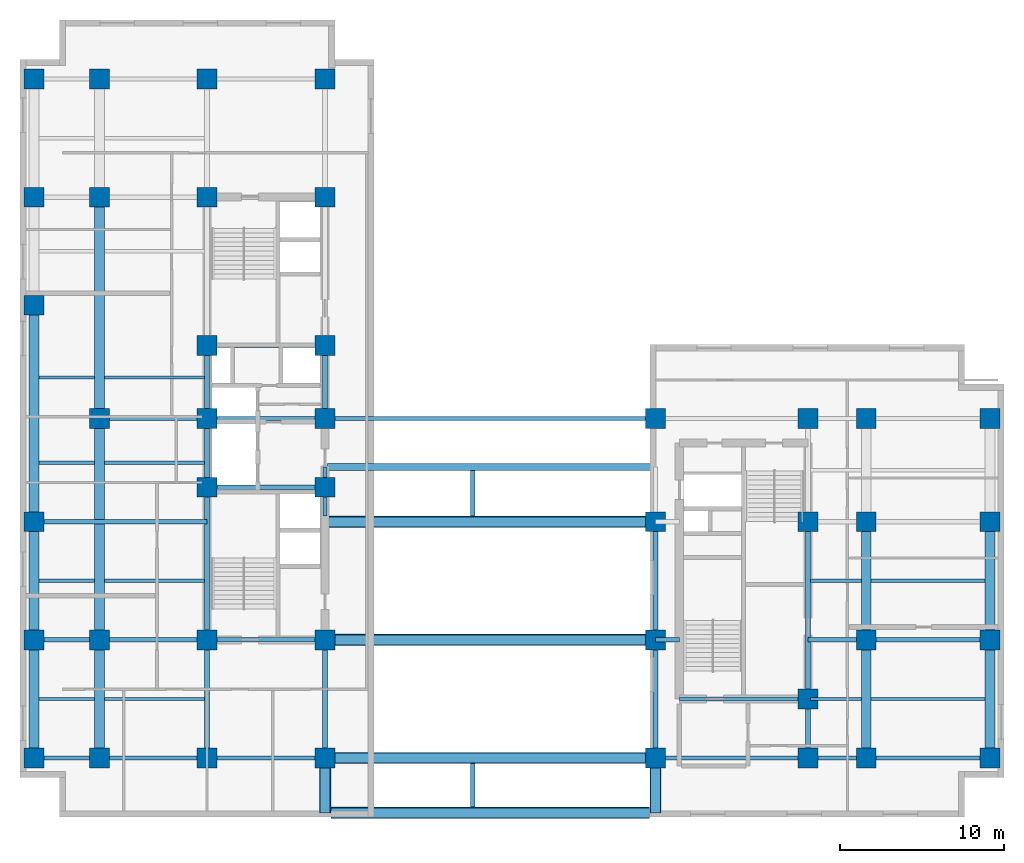
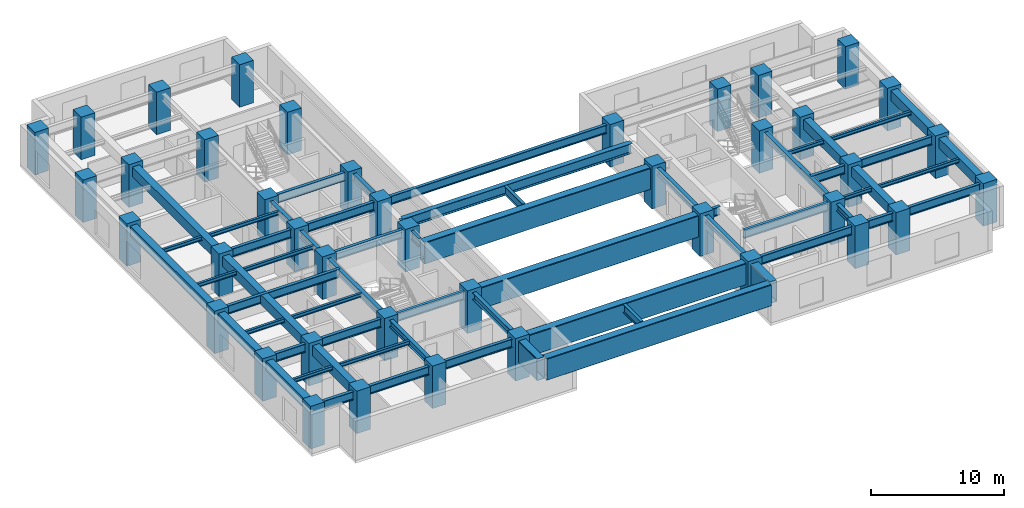
# One storey, part 1 of 9: 61 beams, 41 columns.
"""IFC4 building model written with IfcOpenShell, lengths in metres."""

from ifc_helpers import new_model, entity, si_unit, converted_unit, direction, frame, origin_with_axes, origin_2d_with_axis, place, context, subcontext, project, spatial, rectangle, hollow_rectangle, i_section, extrude, material, material_profile, profile_set, type_object, element, save


model = new_model("IFC4")

# Units and contexts
model_context = context("Model", 3, precision=1e-05, world=origin_with_axes(), true_north=direction((0.0, 1.0)))
body_context = subcontext(model_context, "Body", "Model", "MODEL_VIEW")
ifc_project = project(units=[si_unit("LENGTHUNIT", "METRE"), si_unit("AREAUNIT", "SQUARE_METRE"), si_unit("VOLUMEUNIT", "CUBIC_METRE"), converted_unit("PLANEANGLEUNIT", "DEGREE", entity("IfcPlaneAngleMeasure", 0.017453292519943295), si_unit("PLANEANGLEUNIT", "RADIAN"), dimensions=[0, 0, 0, 0, 0, 0, 0]), si_unit("MASSUNIT", "GRAM", prefix="KILO"), si_unit("THERMODYNAMICTEMPERATUREUNIT", "KELVIN")], contexts=[model_context])

# Site, building, storey
site_placement = place(None, origin_with_axes())
site = spatial("IfcSite", under=ifc_project, at=site_placement, CompositionType="ELEMENT")
building_placement = place(site_placement, origin_with_axes())
building = spatial("IfcBuilding", under=site, at=building_placement, Name="Varnlund Millrace Tower", CompositionType="ELEMENT")
storey_placement = place(building_placement, frame((0.0, 0.0, 120.3), z_axis=(0.0, 0.0, 1.0), x_axis=(1.0, 0.0, 0.0)))
storey = spatial("IfcBuildingStorey", under=building, at=storey_placement, Name="L29", CompositionType="ELEMENT", Elevation=120.3)

# Columns
ifc_material_1 = material(Name="Concrete C80/95", Category="concrete")
ifc_material_profile_1 = material_profile(ifc_material_1, rectangle(XDim=1.2, YDim=1.2, at=origin_2d_with_axis()), Name="Concrete C80/95")
ifc_profile_set_1 = profile_set([ifc_material_profile_1], Name="Concrete C80/95")
column_type = type_object("IfcColumnType", Name="Type-Col-RC1200-C80", PredefinedType="COLUMN", material=ifc_profile_set_1)
for number, where, z_axis, x_axis, name in (
    (1, (11.4, 3.6, 0.0), (0.0, 0.0, 1.0), (1.0, 0.0, 0.0), "Type-Col-RC1200-C80"),
    (2, (11.4, 10.8, 0.0), (0.0, 0.0, 1.0), (1.0, 0.0, 0.0), "Type-Col-RC1200-C80"),
    (3, (11.4, 20.1, 0.0), (0.0, 0.0, 1.0), (1.0, 0.0, 0.0), "Type-Col-RC1200-C80"),
    (4, (11.4, 24.3, 0.0), (0.0, 0.0, 1.0), (1.0, 0.0, 0.0), "Type-Col-RC1200-C80"),
    (5, (11.4, 28.75, 0.0), (0.0, 0.0, 1.0), (1.0, 0.0, 0.0), "Type-Col-RC1200-C80"),
    (6, (11.4, 37.8, 0.0), (0.0, 0.0, 1.0), (1.0, 0.0, 0.0), "Type-Col-RC1200-C80"),
    (7, (11.4, 45.0, 0.0), (0.0, 0.0, 1.0), (1.0, 0.0, 0.0), "Type-Col-RC1200-C80"),
    (8, (18.6, 3.6, 0.0), (0.0, 0.0, 1.0), (1.0, 0.0, 0.0), "Type-Col-RC1200-C80"),
    (9, (18.6, 10.8, 0.0), (0.0, 0.0, 1.0), (1.0, 0.0, 0.0), "Type-Col-RC1200-C80"),
    (10, (18.6, 20.1, 0.0), (0.0, 0.0, 1.0), (1.0, 0.0, 0.0), "Type-Col-RC1200-C80"),
    (11, (18.6, 24.3, 0.0), (0.0, 0.0, 1.0), (1.0, 0.0, 0.0), "Type-Col-RC1200-C80"),
    (12, (18.6, 28.75, 0.0), (0.0, 0.0, 1.0), (1.0, 0.0, 0.0), "Type-Col-RC1200-C80"),
    (13, (18.6, 37.8, 0.0), (0.0, 0.0, 1.0), (1.0, 0.0, 0.0), "Type-Col-RC1200-C80"),
    (14, (18.6, 45.0, 0.0), (0.0, 0.0, 1.0), (1.0, 0.0, 0.0), "Type-Col-RC1200-C80"),
    (15, (4.85, 3.6, 0.0), (0.0, 0.0, 1.0), (1.0, 0.0, 0.0), "Type-Col-RC1200-C80"),
    (16, (4.85, 10.8, 0.0), (0.0, 0.0, 1.0), (1.0, 0.0, 0.0), "Type-Col-RC1200-C80"),
    (17, (4.85, 24.3, 0.0), (0.0, 0.0, 1.0), (1.0, 0.0, 0.0), "Type-Col-RC1200-C80"),
    (18, (4.85, 37.8, 0.0), (0.0, 0.0, 1.0), (1.0, 0.0, 0.0), "Type-Col-RC1200-C80"),
    (19, (4.85, 45.0, 0.0), (0.0, 0.0, 1.0), (1.0, 0.0, 0.0), "Type-Col-RC1200-C80"),
    (20, (0.85, 3.6, 0.0), (0.0, 0.0, 1.0), (1.0, 0.0, 0.0), "Type-Col-RC1200-C80"),
    (21, (0.85, 10.8, 0.0), (0.0, 0.0, 1.0), (1.0, 0.0, 0.0), "Type-Col-RC1200-C80"),
    (22, (0.85, 18.0, 0.0), (0.0, 0.0, 1.0), (1.0, 0.0, 0.0), "Type-Col-RC1200-C80"),
    (23, (0.85, 31.2, 0.0), (0.0, 0.0, 1.0), (1.0, 0.0, 0.0), "Type-Col-RC1200-C80"),
    (24, (0.85, 37.8, 0.0), (0.0, 0.0, 1.0), (1.0, 0.0, 0.0), "Type-Col-RC1200-C80"),
    (25, (0.85, 45.0, 0.0), (0.0, 0.0, 1.0), (1.0, 0.0, 0.0), "Type-Col-RC1200-C80"),
    (26, (38.75, 3.6, 0.0), (0.0, 0.0, 1.0), (1.0, 0.0, 0.0), "Type-Col-RC1200-C80"),
    (27, (38.75, 10.8, 0.0), (0.0, 0.0, 1.0), (1.0, 0.0, 0.0), "Type-Col-RC1200-C80"),
    (28, (38.75, 18.0, 0.0), (0.0, 0.0, 1.0), (1.0, 0.0, 0.0), "Type-Col-RC1200-C80"),
    (29, (38.75, 24.3, 0.0), (0.0, 0.0, 1.0), (1.0, 0.0, 0.0), "Type-Col-RC1200-C80"),
    (30, (48.05, 3.6, 0.0), (0.0, 0.0, 1.0), (1.0, 0.0, 0.0), "Type-Col-RC1200-C80"),
    (31, (48.05, 7.2, 0.0), (0.0, 0.0, 1.0), (1.0, 0.0, 0.0), "Type-Col-RC1200-C80"),
    (32, (48.05, 18.0, 0.0), (0.0, 0.0, 1.0), (1.0, 0.0, 0.0), "Type-Col-RC1200-C80"),
    (33, (48.05, 24.3, 0.0), (0.0, 0.0, 1.0), (1.0, 0.0, 0.0), "Type-Col-RC1200-C80"),
    (34, (51.6, 3.6, 0.0), (0.0, 0.0, 1.0), (1.0, 0.0, 0.0), "Type-Col-RC1200-C80"),
    (35, (51.6, 10.8, 0.0), (0.0, 0.0, 1.0), (1.0, 0.0, 0.0), "Type-Col-RC1200-C80"),
    (36, (51.6, 18.0, 0.0), (0.0, 0.0, 1.0), (1.0, 0.0, 0.0), "Type-Col-RC1200-C80"),
    (37, (51.6, 24.3, 0.0), (0.0, 0.0, 1.0), (1.0, 0.0, 0.0), "Type-Col-RC1200-C80"),
    (38, (59.15, 3.6, 0.0), (0.0, 0.0, 1.0), (1.0, 0.0, 0.0), "Type-Col-RC1200-C80"),
    (39, (59.15, 10.8, 0.0), (0.0, 0.0, 1.0), (1.0, 0.0, 0.0), "Type-Col-RC1200-C80"),
    (40, (59.15, 18.0, 0.0), (0.0, 0.0, 1.0), (1.0, 0.0, 0.0), "Type-Col-RC1200-C80"),
    (41, (59.15, 24.3, 0.0), (0.0, 0.0, 1.0), (1.0, 0.0, 0.0), "Type-Col-RC1200-C80"),
):
    element("IfcColumn", number, at=place(storey_placement, frame(where, z_axis=z_axis, x_axis=x_axis)), inside=storey, type_object=column_type, Name=name, PredefinedType="COLUMN", context=body_context, shape_type="SweptSolid", body=[
        extrude(rectangle(XDim=1.2, YDim=1.2, at=origin_2d_with_axis()), origin_with_axes(), (0.0, 0.0, 1.0), 3.9),
    ])

# Beams
ifc_material_2 = material(Name="Steel ASTM A992 Grade 50", Category="steel")
ifc_material_profile_2 = material_profile(ifc_material_2, i_section(OverallWidth=0.328, OverallDepth=0.628, WebThickness=0.0165, FlangeThickness=0.0277, FilletRadius=0.018, at=origin_2d_with_axis()), Name="Steel ASTM A992 Grade 50")
ifc_profile_set_2 = profile_set([ifc_material_profile_2], Name="Steel ASTM A992 Grade 50")
beam_type_1 = type_object("IfcBeamType", Name="Type-Girder-W24X146", PredefinedType="USERDEFINED", material=ifc_profile_set_2)
beam_1_placement = place(storey_placement, frame((11.4, 3.6, 3.286), z_axis=(0.0, 1.0, 0.0), x_axis=(-1.0, 0.0, 0.0)))
element("IfcBeam", 42, at=beam_1_placement, inside=storey, type_object=beam_type_1, Name="Type-Girder-W24X146", ObjectType="GIRDER", PredefinedType="USERDEFINED", context=body_context, shape_type="SweptSolid", body=[
    extrude(i_section(OverallWidth=0.328, OverallDepth=0.628, WebThickness=0.0165, FlangeThickness=0.0277, FilletRadius=0.018, at=origin_2d_with_axis()), origin_with_axes(), (0.0, 0.0, 1.0), 7.2),
])
beam_2_placement = place(storey_placement, frame((11.4, 10.8, 3.286), z_axis=(0.0, 1.0, 0.0), x_axis=(-1.0, 0.0, 0.0)))
element("IfcBeam", 43, at=beam_2_placement, inside=storey, type_object=beam_type_1, Name="Type-Girder-W24X146", ObjectType="GIRDER", PredefinedType="USERDEFINED", context=body_context, shape_type="SweptSolid", body=[
    extrude(i_section(OverallWidth=0.328, OverallDepth=0.628, WebThickness=0.0165, FlangeThickness=0.0277, FilletRadius=0.018, at=origin_2d_with_axis()), origin_with_axes(), (0.0, 0.0, 1.0), 9.3),
])
beam_3_placement = place(storey_placement, frame((11.4, 20.1, 3.286), z_axis=(0.0, 1.0, 0.0), x_axis=(-1.0, 0.0, 0.0)))
element("IfcBeam", 44, at=beam_3_placement, inside=storey, type_object=beam_type_1, Name="Type-Girder-W24X146", ObjectType="GIRDER", PredefinedType="USERDEFINED", context=body_context, shape_type="SweptSolid", body=[
    extrude(i_section(OverallWidth=0.328, OverallDepth=0.628, WebThickness=0.0165, FlangeThickness=0.0277, FilletRadius=0.018, at=origin_2d_with_axis()), origin_with_axes(), (0.0, 0.0, 1.0), 4.2),
])
beam_4_placement = place(storey_placement, frame((11.4, 24.3, 3.286), z_axis=(0.0, 1.0, 0.0), x_axis=(-1.0, 0.0, 0.0)))
element("IfcBeam", 45, at=beam_4_placement, inside=storey, type_object=beam_type_1, Name="Type-Girder-W24X146", ObjectType="GIRDER", PredefinedType="USERDEFINED", context=body_context, shape_type="SweptSolid", body=[
    extrude(i_section(OverallWidth=0.328, OverallDepth=0.628, WebThickness=0.0165, FlangeThickness=0.0277, FilletRadius=0.018, at=origin_2d_with_axis()), origin_with_axes(), (0.0, 0.0, 1.0), 4.45),
])
beam_5_placement = place(storey_placement, frame((18.6, 3.6, 3.286), z_axis=(0.0, 1.0, 0.0), x_axis=(-1.0, 0.0, 0.0)))
element("IfcBeam", 46, at=beam_5_placement, inside=storey, type_object=beam_type_1, Name="Type-Girder-W24X146", ObjectType="GIRDER", PredefinedType="USERDEFINED", context=body_context, shape_type="SweptSolid", body=[
    extrude(i_section(OverallWidth=0.328, OverallDepth=0.628, WebThickness=0.0165, FlangeThickness=0.0277, FilletRadius=0.018, at=origin_2d_with_axis()), origin_with_axes(), (0.0, 0.0, 1.0), 7.2),
])
beam_6_placement = place(storey_placement, frame((18.6, 24.3, 3.286), z_axis=(0.0, 1.0, 0.0), x_axis=(-1.0, 0.0, 0.0)))
element("IfcBeam", 47, at=beam_6_placement, inside=storey, type_object=beam_type_1, Name="Type-Girder-W24X146", ObjectType="GIRDER", PredefinedType="USERDEFINED", context=body_context, shape_type="SweptSolid", body=[
    extrude(i_section(OverallWidth=0.328, OverallDepth=0.628, WebThickness=0.0165, FlangeThickness=0.0277, FilletRadius=0.018, at=origin_2d_with_axis()), origin_with_axes(), (0.0, 0.0, 1.0), 4.45),
])
for number, where, z_axis, x_axis, name in (
    (48, (38.75, 3.6, 3.286), (0.0, 1.0, 0.0), (-1.0, 0.0, 0.0), "Type-Girder-W24X146"),
    (49, (38.75, 10.8, 3.286), (0.0, 1.0, 0.0), (-1.0, 0.0, 0.0), "Type-Girder-W24X146"),
):
    element("IfcBeam", number, at=place(storey_placement, frame(where, z_axis=z_axis, x_axis=x_axis)), inside=storey, type_object=beam_type_1, Name=name, ObjectType="GIRDER", PredefinedType="USERDEFINED", context=body_context, shape_type="SweptSolid", body=[
        extrude(i_section(OverallWidth=0.328, OverallDepth=0.628, WebThickness=0.0165, FlangeThickness=0.0277, FilletRadius=0.018, at=origin_2d_with_axis()), origin_with_axes(), (0.0, 0.0, 1.0), 7.2),
    ])
beam_7_placement = place(storey_placement, frame((48.05, 3.6, 3.286), z_axis=(0.0, 1.0, 0.0), x_axis=(-1.0, 0.0, 0.0)))
element("IfcBeam", 50, at=beam_7_placement, inside=storey, type_object=beam_type_1, Name="Type-Girder-W24X146", ObjectType="GIRDER", PredefinedType="USERDEFINED", context=body_context, shape_type="SweptSolid", body=[
    extrude(i_section(OverallWidth=0.328, OverallDepth=0.628, WebThickness=0.0165, FlangeThickness=0.0277, FilletRadius=0.018, at=origin_2d_with_axis()), origin_with_axes(), (0.0, 0.0, 1.0), 3.6),
])
beam_8_placement = place(storey_placement, frame((48.05, 7.2, 3.286), z_axis=(0.0, 1.0, 0.0), x_axis=(-1.0, 0.0, 0.0)))
element("IfcBeam", 51, at=beam_8_placement, inside=storey, type_object=beam_type_1, Name="Type-Girder-W24X146", ObjectType="GIRDER", PredefinedType="USERDEFINED", context=body_context, shape_type="SweptSolid", body=[
    extrude(i_section(OverallWidth=0.328, OverallDepth=0.628, WebThickness=0.0165, FlangeThickness=0.0277, FilletRadius=0.018, at=origin_2d_with_axis()), origin_with_axes(), (0.0, 0.0, 1.0), 10.8),
])
ifc_material_profile_3 = material_profile(ifc_material_2, i_section(OverallWidth=0.266, OverallDepth=0.779, WebThickness=0.0165, FlangeThickness=0.03, FilletRadius=0.02, at=origin_2d_with_axis()), Name="Steel ASTM A992 Grade 50")
ifc_profile_set_3 = profile_set([ifc_material_profile_3], Name="Steel ASTM A992 Grade 50")
beam_type_2 = type_object("IfcBeamType", Name="Type-Girder-W30X148", PredefinedType="USERDEFINED", material=ifc_profile_set_3)
beam_9_placement = place(storey_placement, frame((18.6, 18.35, 3.2105), z_axis=(0.0, 1.0, 0.0), x_axis=(-1.0, 0.0, 0.0)))
element("IfcBeam", 52, at=beam_9_placement, inside=storey, type_object=beam_type_2, Name="Type-Girder-W30X148", ObjectType="GIRDER", PredefinedType="USERDEFINED", context=body_context, shape_type="SweptSolid", body=[
    extrude(i_section(OverallWidth=0.266, OverallDepth=0.779, WebThickness=0.0165, FlangeThickness=0.03, FilletRadius=0.02, at=origin_2d_with_axis()), origin_with_axes(), (0.0, 0.0, 1.0), 3.0),
])
beam_10_placement = place(storey_placement, frame((27.6, 0.61, 3.2105), z_axis=(0.0, 1.0, 0.0), x_axis=(-1.0, 0.0, 0.0)))
element("IfcBeam", 53, at=beam_10_placement, inside=storey, type_object=beam_type_2, Name="Type-Girder-W30X148", ObjectType="GIRDER", PredefinedType="USERDEFINED", context=body_context, shape_type="SweptSolid", body=[
    extrude(i_section(OverallWidth=0.266, OverallDepth=0.779, WebThickness=0.0165, FlangeThickness=0.03, FilletRadius=0.02, at=origin_2d_with_axis()), origin_with_axes(), (0.0, 0.0, 1.0), 2.64),
])
beam_11_placement = place(storey_placement, frame((27.6, 18.35, 3.2105), z_axis=(0.0, 1.0, 0.0), x_axis=(-1.0, 0.0, 0.0)))
element("IfcBeam", 54, at=beam_11_placement, inside=storey, type_object=beam_type_2, Name="Type-Girder-W30X148", ObjectType="GIRDER", PredefinedType="USERDEFINED", context=body_context, shape_type="SweptSolid", body=[
    extrude(i_section(OverallWidth=0.266, OverallDepth=0.779, WebThickness=0.0165, FlangeThickness=0.03, FilletRadius=0.02, at=origin_2d_with_axis()), origin_with_axes(), (0.0, 0.0, 1.0), 2.79),
])
beam_12_placement = place(storey_placement, frame((0.85, 3.6, 3.2105), z_axis=(1.0, 0.0, 0.0), x_axis=(0.0, 1.0, 0.0)))
element("IfcBeam", 55, at=beam_12_placement, inside=storey, type_object=beam_type_2, Name="Type-Girder-W30X148", ObjectType="GIRDER", PredefinedType="USERDEFINED", context=body_context, shape_type="SweptSolid", body=[
    extrude(i_section(OverallWidth=0.266, OverallDepth=0.779, WebThickness=0.0165, FlangeThickness=0.03, FilletRadius=0.02, at=origin_2d_with_axis()), origin_with_axes(), (0.0, 0.0, 1.0), 4.0),
])
beam_13_placement = place(storey_placement, frame((4.85, 3.6, 3.2105), z_axis=(1.0, 0.0, 0.0), x_axis=(0.0, 1.0, 0.0)))
element("IfcBeam", 56, at=beam_13_placement, inside=storey, type_object=beam_type_2, Name="Type-Girder-W30X148", ObjectType="GIRDER", PredefinedType="USERDEFINED", context=body_context, shape_type="SweptSolid", body=[
    extrude(i_section(OverallWidth=0.266, OverallDepth=0.779, WebThickness=0.0165, FlangeThickness=0.03, FilletRadius=0.02, at=origin_2d_with_axis()), origin_with_axes(), (0.0, 0.0, 1.0), 6.55),
])
beam_14_placement = place(storey_placement, frame((11.4, 3.6, 3.2105), z_axis=(1.0, 0.0, 0.0), x_axis=(0.0, 1.0, 0.0)))
element("IfcBeam", 57, at=beam_14_placement, inside=storey, type_object=beam_type_2, Name="Type-Girder-W30X148", ObjectType="GIRDER", PredefinedType="USERDEFINED", context=body_context, shape_type="SweptSolid", body=[
    extrude(i_section(OverallWidth=0.266, OverallDepth=0.779, WebThickness=0.0165, FlangeThickness=0.03, FilletRadius=0.02, at=origin_2d_with_axis()), origin_with_axes(), (0.0, 0.0, 1.0), 7.2),
])
beam_15_placement = place(storey_placement, frame((38.75, 3.6, 3.2105), z_axis=(1.0, 0.0, 0.0), x_axis=(0.0, 1.0, 0.0)))
element("IfcBeam", 58, at=beam_15_placement, inside=storey, type_object=beam_type_2, Name="Type-Girder-W30X148", ObjectType="GIRDER", PredefinedType="USERDEFINED", context=body_context, shape_type="SweptSolid", body=[
    extrude(i_section(OverallWidth=0.266, OverallDepth=0.779, WebThickness=0.0165, FlangeThickness=0.03, FilletRadius=0.02, at=origin_2d_with_axis()), origin_with_axes(), (0.0, 0.0, 1.0), 9.3),
])
beam_16_placement = place(storey_placement, frame((48.05, 3.6, 3.2105), z_axis=(1.0, 0.0, 0.0), x_axis=(0.0, 1.0, 0.0)))
element("IfcBeam", 59, at=beam_16_placement, inside=storey, type_object=beam_type_2, Name="Type-Girder-W30X148", ObjectType="GIRDER", PredefinedType="USERDEFINED", context=body_context, shape_type="SweptSolid", body=[
    extrude(i_section(OverallWidth=0.266, OverallDepth=0.779, WebThickness=0.0165, FlangeThickness=0.03, FilletRadius=0.02, at=origin_2d_with_axis()), origin_with_axes(), (0.0, 0.0, 1.0), 3.55),
])
beam_17_placement = place(storey_placement, frame((51.6, 3.6, 3.2105), z_axis=(1.0, 0.0, 0.0), x_axis=(0.0, 1.0, 0.0)))
element("IfcBeam", 60, at=beam_17_placement, inside=storey, type_object=beam_type_2, Name="Type-Girder-W30X148", ObjectType="GIRDER", PredefinedType="USERDEFINED", context=body_context, shape_type="SweptSolid", body=[
    extrude(i_section(OverallWidth=0.266, OverallDepth=0.779, WebThickness=0.0165, FlangeThickness=0.03, FilletRadius=0.02, at=origin_2d_with_axis()), origin_with_axes(), (0.0, 0.0, 1.0), 7.55),
])
beam_18_placement = place(storey_placement, frame((40.2, 7.2, 3.2105), z_axis=(1.0, 0.0, 0.0), x_axis=(0.0, 1.0, 0.0)))
element("IfcBeam", 61, at=beam_18_placement, inside=storey, type_object=beam_type_2, Name="Type-Girder-W30X148", ObjectType="GIRDER", PredefinedType="USERDEFINED", context=body_context, shape_type="SweptSolid", body=[
    extrude(i_section(OverallWidth=0.266, OverallDepth=0.779, WebThickness=0.0165, FlangeThickness=0.03, FilletRadius=0.02, at=origin_2d_with_axis()), origin_with_axes(), (0.0, 0.0, 1.0), 7.85),
])
beam_19_placement = place(storey_placement, frame((0.85, 10.8, 3.2105), z_axis=(1.0, 0.0, 0.0), x_axis=(0.0, 1.0, 0.0)))
element("IfcBeam", 62, at=beam_19_placement, inside=storey, type_object=beam_type_2, Name="Type-Girder-W30X148", ObjectType="GIRDER", PredefinedType="USERDEFINED", context=body_context, shape_type="SweptSolid", body=[
    extrude(i_section(OverallWidth=0.266, OverallDepth=0.779, WebThickness=0.0165, FlangeThickness=0.03, FilletRadius=0.02, at=origin_2d_with_axis()), origin_with_axes(), (0.0, 0.0, 1.0), 4.0),
])
beam_20_placement = place(storey_placement, frame((4.85, 10.8, 3.2105), z_axis=(1.0, 0.0, 0.0), x_axis=(0.0, 1.0, 0.0)))
element("IfcBeam", 63, at=beam_20_placement, inside=storey, type_object=beam_type_2, Name="Type-Girder-W30X148", ObjectType="GIRDER", PredefinedType="USERDEFINED", context=body_context, shape_type="SweptSolid", body=[
    extrude(i_section(OverallWidth=0.266, OverallDepth=0.779, WebThickness=0.0165, FlangeThickness=0.03, FilletRadius=0.02, at=origin_2d_with_axis()), origin_with_axes(), (0.0, 0.0, 1.0), 6.55),
])
beam_21_placement = place(storey_placement, frame((11.4, 10.8, 3.2105), z_axis=(1.0, 0.0, 0.0), x_axis=(0.0, 1.0, 0.0)))
element("IfcBeam", 64, at=beam_21_placement, inside=storey, type_object=beam_type_2, Name="Type-Girder-W30X148", ObjectType="GIRDER", PredefinedType="USERDEFINED", context=body_context, shape_type="SweptSolid", body=[
    extrude(i_section(OverallWidth=0.266, OverallDepth=0.779, WebThickness=0.0165, FlangeThickness=0.03, FilletRadius=0.02, at=origin_2d_with_axis()), origin_with_axes(), (0.0, 0.0, 1.0), 7.2),
])
beam_22_placement = place(storey_placement, frame((38.75, 10.8, 3.2105), z_axis=(1.0, 0.0, 0.0), x_axis=(0.0, 1.0, 0.0)))
element("IfcBeam", 65, at=beam_22_placement, inside=storey, type_object=beam_type_2, Name="Type-Girder-W30X148", ObjectType="GIRDER", PredefinedType="USERDEFINED", context=body_context, shape_type="SweptSolid", body=[
    extrude(i_section(OverallWidth=0.266, OverallDepth=0.779, WebThickness=0.0165, FlangeThickness=0.03, FilletRadius=0.02, at=origin_2d_with_axis()), origin_with_axes(), (0.0, 0.0, 1.0), 1.45),
])
beam_23_placement = place(storey_placement, frame((48.05, 10.8, 3.2105), z_axis=(1.0, 0.0, 0.0), x_axis=(0.0, 1.0, 0.0)))
element("IfcBeam", 66, at=beam_23_placement, inside=storey, type_object=beam_type_2, Name="Type-Girder-W30X148", ObjectType="GIRDER", PredefinedType="USERDEFINED", context=body_context, shape_type="SweptSolid", body=[
    extrude(i_section(OverallWidth=0.266, OverallDepth=0.779, WebThickness=0.0165, FlangeThickness=0.03, FilletRadius=0.02, at=origin_2d_with_axis()), origin_with_axes(), (0.0, 0.0, 1.0), 3.55),
])
beam_24_placement = place(storey_placement, frame((51.6, 10.8, 3.2105), z_axis=(1.0, 0.0, 0.0), x_axis=(0.0, 1.0, 0.0)))
element("IfcBeam", 67, at=beam_24_placement, inside=storey, type_object=beam_type_2, Name="Type-Girder-W30X148", ObjectType="GIRDER", PredefinedType="USERDEFINED", context=body_context, shape_type="SweptSolid", body=[
    extrude(i_section(OverallWidth=0.266, OverallDepth=0.779, WebThickness=0.0165, FlangeThickness=0.03, FilletRadius=0.02, at=origin_2d_with_axis()), origin_with_axes(), (0.0, 0.0, 1.0), 7.55),
])
beam_25_placement = place(storey_placement, frame((0.85, 18.0, 3.2105), z_axis=(1.0, 0.0, 0.0), x_axis=(0.0, 1.0, 0.0)))
element("IfcBeam", 68, at=beam_25_placement, inside=storey, type_object=beam_type_2, Name="Type-Girder-W30X148", ObjectType="GIRDER", PredefinedType="USERDEFINED", context=body_context, shape_type="SweptSolid", body=[
    extrude(i_section(OverallWidth=0.266, OverallDepth=0.779, WebThickness=0.0165, FlangeThickness=0.03, FilletRadius=0.02, at=origin_2d_with_axis()), origin_with_axes(), (0.0, 0.0, 1.0), 10.55),
])
beam_26_placement = place(storey_placement, frame((11.4, 20.1, 3.2105), z_axis=(1.0, 0.0, 0.0), x_axis=(0.0, 1.0, 0.0)))
element("IfcBeam", 69, at=beam_26_placement, inside=storey, type_object=beam_type_2, Name="Type-Girder-W30X148", ObjectType="GIRDER", PredefinedType="USERDEFINED", context=body_context, shape_type="SweptSolid", body=[
    extrude(i_section(OverallWidth=0.266, OverallDepth=0.779, WebThickness=0.0165, FlangeThickness=0.03, FilletRadius=0.02, at=origin_2d_with_axis()), origin_with_axes(), (0.0, 0.0, 1.0), 7.2),
])
beam_27_placement = place(storey_placement, frame((4.85, 24.3, 3.2105), z_axis=(1.0, 0.0, 0.0), x_axis=(0.0, 1.0, 0.0)))
element("IfcBeam", 70, at=beam_27_placement, inside=storey, type_object=beam_type_2, Name="Type-Girder-W30X148", ObjectType="GIRDER", PredefinedType="USERDEFINED", context=body_context, shape_type="SweptSolid", body=[
    extrude(i_section(OverallWidth=0.266, OverallDepth=0.779, WebThickness=0.0165, FlangeThickness=0.03, FilletRadius=0.02, at=origin_2d_with_axis()), origin_with_axes(), (0.0, 0.0, 1.0), 6.55),
])
beam_28_placement = place(storey_placement, frame((11.4, 24.3, 3.2105), z_axis=(1.0, 0.0, 0.0), x_axis=(0.0, 1.0, 0.0)))
element("IfcBeam", 71, at=beam_28_placement, inside=storey, type_object=beam_type_2, Name="Type-Girder-W30X148", ObjectType="GIRDER", PredefinedType="USERDEFINED", context=body_context, shape_type="SweptSolid", body=[
    extrude(i_section(OverallWidth=0.266, OverallDepth=0.779, WebThickness=0.0165, FlangeThickness=0.03, FilletRadius=0.02, at=origin_2d_with_axis()), origin_with_axes(), (0.0, 0.0, 1.0), 7.2),
])
beam_29_placement = place(storey_placement, frame((18.6, 24.3, 3.2105), z_axis=(1.0, 0.0, 0.0), x_axis=(0.0, 1.0, 0.0)))
element("IfcBeam", 72, at=beam_29_placement, inside=storey, type_object=beam_type_2, Name="Type-Girder-W30X148", ObjectType="GIRDER", PredefinedType="USERDEFINED", context=body_context, shape_type="SweptSolid", body=[
    extrude(i_section(OverallWidth=0.266, OverallDepth=0.779, WebThickness=0.0165, FlangeThickness=0.03, FilletRadius=0.02, at=origin_2d_with_axis()), origin_with_axes(), (0.0, 0.0, 1.0), 20.15),
])
beam_30_placement = place(storey_placement, frame((11.4, 28.75, 3.2105), z_axis=(1.0, 0.0, 0.0), x_axis=(0.0, 1.0, 0.0)))
element("IfcBeam", 73, at=beam_30_placement, inside=storey, type_object=beam_type_2, Name="Type-Girder-W30X148", ObjectType="GIRDER", PredefinedType="USERDEFINED", context=body_context, shape_type="SweptSolid", body=[
    extrude(i_section(OverallWidth=0.266, OverallDepth=0.779, WebThickness=0.0165, FlangeThickness=0.03, FilletRadius=0.02, at=origin_2d_with_axis()), origin_with_axes(), (0.0, 0.0, 1.0), 7.2),
])
ifc_material_profile_4 = material_profile(ifc_material_2, i_section(OverallWidth=0.418, OverallDepth=0.927, WebThickness=0.0193, FlangeThickness=0.032, FilletRadius=0.024, at=origin_2d_with_axis()), Name="Steel ASTM A992 Grade 50")
ifc_profile_set_4 = profile_set([ifc_material_profile_4], Name="Steel ASTM A992 Grade 50")
beam_type_3 = type_object("IfcBeamType", Name="Type-Girder-W36X231", PredefinedType="USERDEFINED", material=ifc_profile_set_4)
beam_31_placement = place(storey_placement, frame((18.74, 21.35, 3.1365), z_axis=(1.0, 0.0, 0.0), x_axis=(0.0, 1.0, 0.0)))
element("IfcBeam", 74, at=beam_31_placement, inside=storey, type_object=beam_type_3, Name="Type-Girder-W36X231", ObjectType="GIRDER", PredefinedType="USERDEFINED", context=body_context, shape_type="SweptSolid", body=[
    extrude(i_section(OverallWidth=0.418, OverallDepth=0.927, WebThickness=0.0193, FlangeThickness=0.032, FilletRadius=0.024, at=origin_2d_with_axis()), origin_with_axes(), (0.0, 0.0, 1.0), 19.87),
])
ifc_material_profile_5 = material_profile(ifc_material_2, i_section(OverallWidth=0.204, OverallDepth=0.35, WebThickness=0.0086, FlangeThickness=0.0151, FilletRadius=0.013, at=origin_2d_with_axis()), Name="Steel ASTM A992 Grade 50")
ifc_profile_set_5 = profile_set([ifc_material_profile_5], Name="Steel ASTM A992 Grade 50")
beam_type_4 = type_object("IfcBeamType", Name="Type-Joist-W14X48", PredefinedType="JOIST", material=ifc_profile_set_5)
for number, where, z_axis, x_axis, name in (
    (75, (1.15, 7.2, 3.425), (1.0, 0.0, 0.0), (0.0, 1.0, 0.0), "Type-Joist-W14X48"),
    (76, (1.15, 14.4, 3.425), (1.0, 0.0, 0.0), (0.0, 1.0, 0.0), "Type-Joist-W14X48"),
    (77, (1.15, 21.6, 3.425), (1.0, 0.0, 0.0), (0.0, 1.0, 0.0), "Type-Joist-W14X48"),
    (78, (1.15, 26.8, 3.425), (1.0, 0.0, 0.0), (0.0, 1.0, 0.0), "Type-Joist-W14X48"),
):
    element("IfcBeam", number, at=place(storey_placement, frame(where, z_axis=z_axis, x_axis=x_axis)), inside=storey, type_object=beam_type_4, Name=name, PredefinedType="JOIST", context=body_context, shape_type="SweptSolid", body=[
        extrude(i_section(OverallWidth=0.204, OverallDepth=0.35, WebThickness=0.0086, FlangeThickness=0.0151, FilletRadius=0.013, at=origin_2d_with_axis()), origin_with_axes(), (0.0, 0.0, 1.0), 3.4),
    ])
for number, where, z_axis, x_axis, name in (
    (79, (5.15, 7.2, 3.425), (1.0, 0.0, 0.0), (0.0, 1.0, 0.0), "Type-Joist-W14X48"),
    (80, (5.15, 14.4, 3.425), (1.0, 0.0, 0.0), (0.0, 1.0, 0.0), "Type-Joist-W14X48"),
    (81, (5.15, 21.6, 3.425), (1.0, 0.0, 0.0), (0.0, 1.0, 0.0), "Type-Joist-W14X48"),
    (82, (5.15, 26.8, 3.425), (1.0, 0.0, 0.0), (0.0, 1.0, 0.0), "Type-Joist-W14X48"),
):
    element("IfcBeam", number, at=place(storey_placement, frame(where, z_axis=z_axis, x_axis=x_axis)), inside=storey, type_object=beam_type_4, Name=name, PredefinedType="JOIST", context=body_context, shape_type="SweptSolid", body=[
        extrude(i_section(OverallWidth=0.204, OverallDepth=0.35, WebThickness=0.0086, FlangeThickness=0.0151, FilletRadius=0.013, at=origin_2d_with_axis()), origin_with_axes(), (0.0, 0.0, 1.0), 6.086),
    ])
for number, where, z_axis, x_axis, name in (
    (83, (48.214, 7.2, 3.425), (1.0, 0.0, 0.0), (0.0, 1.0, 0.0), "Type-Joist-W14X48"),
    (84, (48.214, 14.4, 3.425), (1.0, 0.0, 0.0), (0.0, 1.0, 0.0), "Type-Joist-W14X48"),
):
    element("IfcBeam", number, at=place(storey_placement, frame(where, z_axis=z_axis, x_axis=x_axis)), inside=storey, type_object=beam_type_4, Name=name, PredefinedType="JOIST", context=body_context, shape_type="SweptSolid", body=[
        extrude(i_section(OverallWidth=0.204, OverallDepth=0.35, WebThickness=0.0086, FlangeThickness=0.0151, FilletRadius=0.013, at=origin_2d_with_axis()), origin_with_axes(), (0.0, 0.0, 1.0), 3.086),
    ])
for number, where, z_axis, x_axis, name in (
    (85, (51.9, 7.2, 3.425), (1.0, 0.0, 0.0), (0.0, 1.0, 0.0), "Type-Joist-W14X48"),
    (86, (51.9, 14.4, 3.425), (1.0, 0.0, 0.0), (0.0, 1.0, 0.0), "Type-Joist-W14X48"),
):
    element("IfcBeam", number, at=place(storey_placement, frame(where, z_axis=z_axis, x_axis=x_axis)), inside=storey, type_object=beam_type_4, Name=name, PredefinedType="JOIST", context=body_context, shape_type="SweptSolid", body=[
        extrude(i_section(OverallWidth=0.204, OverallDepth=0.35, WebThickness=0.0086, FlangeThickness=0.0151, FilletRadius=0.013, at=origin_2d_with_axis()), origin_with_axes(), (0.0, 0.0, 1.0), 6.95),
    ])
ifc_material_3 = material(Name="Concrete C70/85", Category="concrete")
ifc_material_profile_6 = material_profile(ifc_material_3, rectangle(XDim=0.6, YDim=0.9, at=origin_2d_with_axis()), Name="Concrete C70/85")
ifc_profile_set_6 = profile_set([ifc_material_profile_6], Name="Concrete C70/85")
beam_type_5 = type_object("IfcBeamType", Name="Type-Spandrel-RC600X900", PredefinedType="SPANDREL", material=ifc_profile_set_6)
for number, where, z_axis, x_axis, name in (
    (87, (0.85, 3.6, 3.15), (0.0, 1.0, 0.0), (-1.0, 0.0, 0.0), "Type-Spandrel-RC600X900"),
    (88, (0.85, 10.8, 3.15), (0.0, 1.0, 0.0), (-1.0, 0.0, 0.0), "Type-Spandrel-RC600X900"),
):
    element("IfcBeam", number, at=place(storey_placement, frame(where, z_axis=z_axis, x_axis=x_axis)), inside=storey, type_object=beam_type_5, Name=name, PredefinedType="SPANDREL", context=body_context, shape_type="SweptSolid", body=[
        extrude(rectangle(XDim=0.6, YDim=0.9, at=origin_2d_with_axis()), origin_with_axes(), (0.0, 0.0, 1.0), 7.2),
    ])
beam_32_placement = place(storey_placement, frame((0.85, 18.0, 3.15), z_axis=(0.0, 1.0, 0.0), x_axis=(-1.0, 0.0, 0.0)))
element("IfcBeam", 89, at=beam_32_placement, inside=storey, type_object=beam_type_5, Name="Type-Spandrel-RC600X900", PredefinedType="SPANDREL", context=body_context, shape_type="SweptSolid", body=[
    extrude(rectangle(XDim=0.6, YDim=0.9, at=origin_2d_with_axis()), origin_with_axes(), (0.0, 0.0, 1.0), 13.2),
])
beam_33_placement = place(storey_placement, frame((4.85, 3.6, 3.15), z_axis=(0.0, 1.0, 0.0), x_axis=(-1.0, 0.0, 0.0)))
element("IfcBeam", 90, at=beam_33_placement, inside=storey, type_object=beam_type_5, Name="Type-Spandrel-RC600X900", PredefinedType="SPANDREL", context=body_context, shape_type="SweptSolid", body=[
    extrude(rectangle(XDim=0.6, YDim=0.9, at=origin_2d_with_axis()), origin_with_axes(), (0.0, 0.0, 1.0), 7.2),
])
for number, where, z_axis, x_axis, name in (
    (91, (4.85, 10.8, 3.15), (0.0, 1.0, 0.0), (-1.0, 0.0, 0.0), "Type-Spandrel-RC600X900"),
    (92, (4.85, 24.3, 3.15), (0.0, 1.0, 0.0), (-1.0, 0.0, 0.0), "Type-Spandrel-RC600X900"),
):
    element("IfcBeam", number, at=place(storey_placement, frame(where, z_axis=z_axis, x_axis=x_axis)), inside=storey, type_object=beam_type_5, Name=name, PredefinedType="SPANDREL", context=body_context, shape_type="SweptSolid", body=[
        extrude(rectangle(XDim=0.6, YDim=0.9, at=origin_2d_with_axis()), origin_with_axes(), (0.0, 0.0, 1.0), 13.5),
    ])
for number, where, z_axis, x_axis, name in (
    (93, (51.6, 3.6, 3.15), (0.0, 1.0, 0.0), (-1.0, 0.0, 0.0), "Type-Spandrel-RC600X900"),
    (94, (51.6, 10.8, 3.15), (0.0, 1.0, 0.0), (-1.0, 0.0, 0.0), "Type-Spandrel-RC600X900"),
    (95, (59.15, 3.6, 3.15), (0.0, 1.0, 0.0), (-1.0, 0.0, 0.0), "Type-Spandrel-RC600X900"),
    (96, (59.15, 10.8, 3.15), (0.0, 1.0, 0.0), (-1.0, 0.0, 0.0), "Type-Spandrel-RC600X900"),
):
    element("IfcBeam", number, at=place(storey_placement, frame(where, z_axis=z_axis, x_axis=x_axis)), inside=storey, type_object=beam_type_5, Name=name, PredefinedType="SPANDREL", context=body_context, shape_type="SweptSolid", body=[
        extrude(rectangle(XDim=0.6, YDim=0.9, at=origin_2d_with_axis()), origin_with_axes(), (0.0, 0.0, 1.0), 7.2),
    ])
ifc_material_4 = material(Name="Steel ASTM A913 Grade 65", Category="steel")
ifc_material_profile_7 = material_profile(ifc_material_4, hollow_rectangle(XDim=0.7, YDim=2.0, WallThickness=0.04, InnerFilletRadius=0.04, OuterFilletRadius=0.08, at=origin_2d_with_axis()), Name="Steel ASTM A913 Grade 65")
ifc_profile_set_7 = profile_set([ifc_material_profile_7], Name="Steel ASTM A913 Grade 65")
beam_type_6 = type_object("IfcBeamType", Name="Type-Transfer-BOX700X2000", PredefinedType="USERDEFINED", material=ifc_profile_set_7)
for number, where, z_axis, x_axis, name in (
    (97, (18.6, 3.6, 2.6), (1.0, 0.0, 0.0), (0.0, 1.0, 0.0), "Type-Transfer-BOX700X2000"),
    (98, (18.6, 10.8, 2.6), (1.0, 0.0, 0.0), (0.0, 1.0, 0.0), "Type-Transfer-BOX700X2000"),
    (99, (18.6, 18.0, 2.6), (1.0, 0.0, 0.0), (0.0, 1.0, 0.0), "Type-Transfer-BOX700X2000"),
):
    element("IfcBeam", number, at=place(storey_placement, frame(where, z_axis=z_axis, x_axis=x_axis)), inside=storey, type_object=beam_type_6, Name=name, ObjectType="GIRDER", PredefinedType="USERDEFINED", context=body_context, shape_type="SweptSolid", body=[
        extrude(hollow_rectangle(XDim=0.7, YDim=2.0, WallThickness=0.04, InnerFilletRadius=0.04, OuterFilletRadius=0.08, at=origin_2d_with_axis()), origin_with_axes(), (0.0, 0.0, 1.0), 20.15),
    ])
for number, where, z_axis, x_axis, name in (
    (100, (18.6, 0.25, 2.6), (0.0, 1.0, 0.0), (-1.0, 0.0, 0.0), "Type-Transfer-BOX700X2000"),
    (101, (38.75, 0.25, 2.6), (0.0, 1.0, 0.0), (-1.0, 0.0, 0.0), "Type-Transfer-BOX700X2000"),
):
    element("IfcBeam", number, at=place(storey_placement, frame(where, z_axis=z_axis, x_axis=x_axis)), inside=storey, type_object=beam_type_6, Name=name, ObjectType="GIRDER", PredefinedType="USERDEFINED", context=body_context, shape_type="SweptSolid", body=[
        extrude(hollow_rectangle(XDim=0.7, YDim=2.0, WallThickness=0.04, InnerFilletRadius=0.04, OuterFilletRadius=0.08, at=origin_2d_with_axis()), origin_with_axes(), (0.0, 0.0, 1.0), 3.0),
    ])
beam_34_placement = place(storey_placement, frame((18.96, 0.25, 2.6), z_axis=(1.0, 0.0, 0.0), x_axis=(0.0, 1.0, 0.0)))
element("IfcBeam", 102, at=beam_34_placement, inside=storey, type_object=beam_type_6, Name="Type-Transfer-BOX700X2000", ObjectType="GIRDER", PredefinedType="USERDEFINED", context=body_context, shape_type="SweptSolid", body=[
    extrude(hollow_rectangle(XDim=0.7, YDim=2.0, WallThickness=0.04, InnerFilletRadius=0.04, OuterFilletRadius=0.08, at=origin_2d_with_axis()), origin_with_axes(), (0.0, 0.0, 1.0), 19.43),
])

save(model, "model.ifc")
